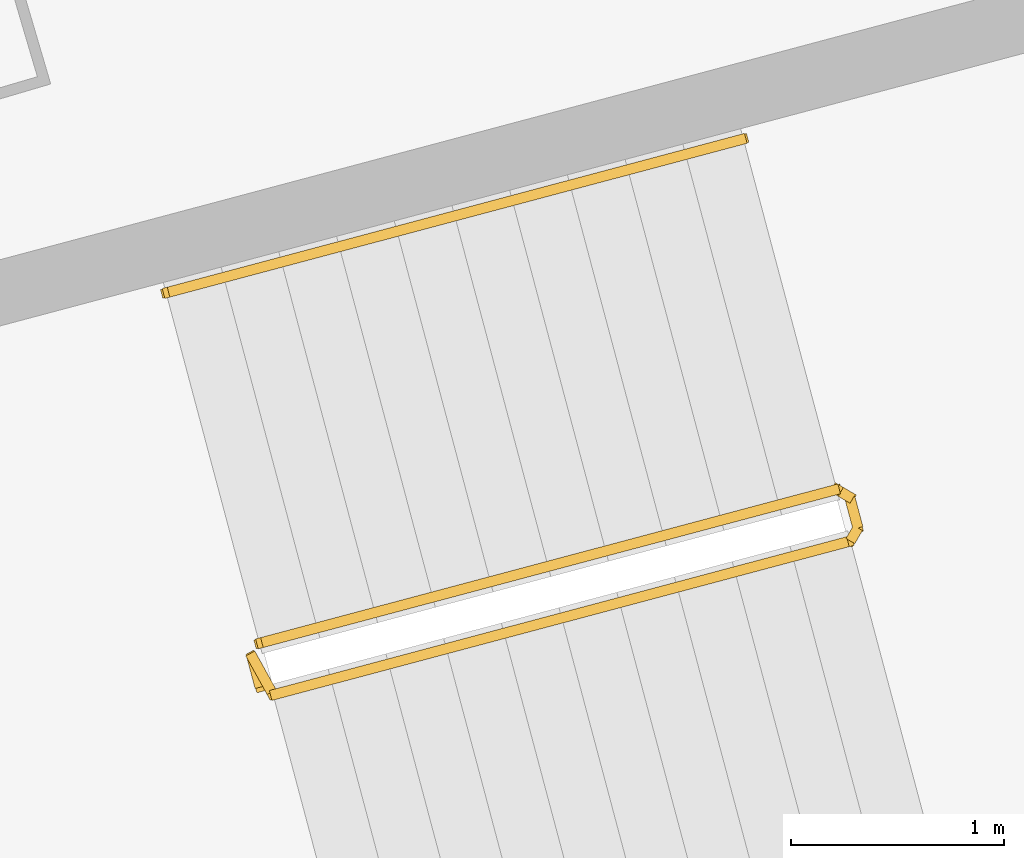
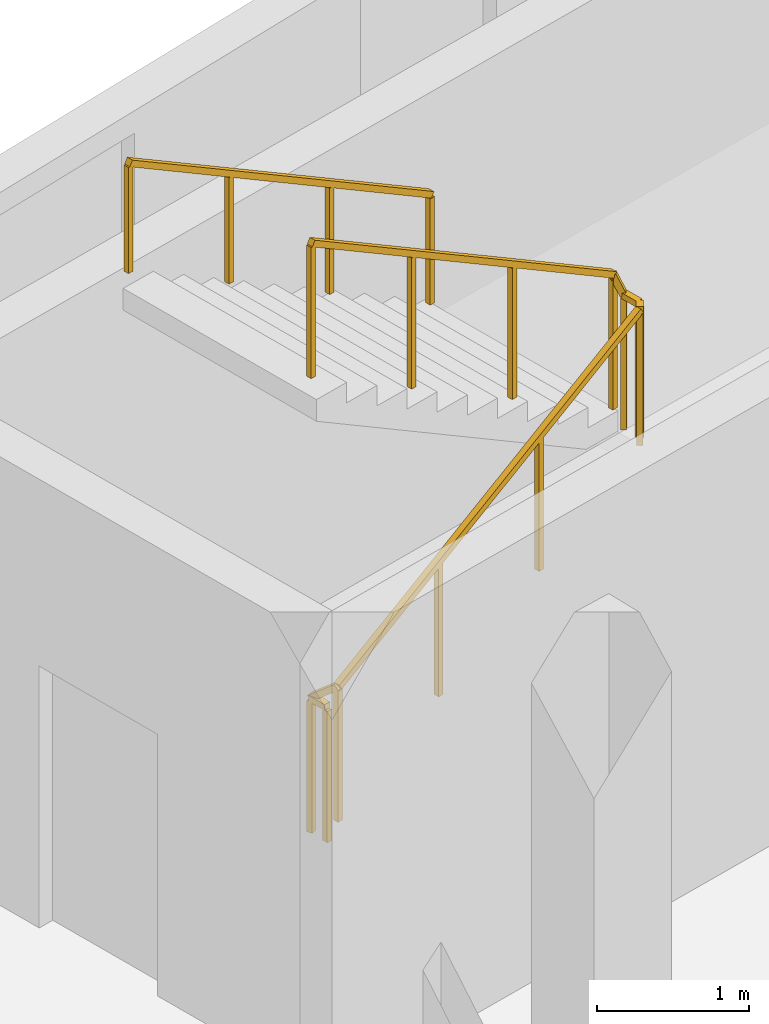
# One storey, part 17 of 17: 2 railings.
"""IFC4 building model written with IfcOpenShell, lengths in metres."""

from ifc_helpers import new_model, si_unit, direction, frame, origin, origin_2d, place, context, subcontext, project, spatial, rectangle, extrude, material, type_object, element, save


model = new_model("IFC4")

# Units and contexts
model_context = context("Model", 3, precision=1e-05, world=origin(), true_north=direction((0.0, 1.0)))
body_context = subcontext(model_context, "Body", "Model", "MODEL_VIEW")
ifc_project = project(units=[si_unit("LENGTHUNIT", "METRE"), si_unit("AREAUNIT", "SQUARE_METRE"), si_unit("VOLUMEUNIT", "CUBIC_METRE"), si_unit("PLANEANGLEUNIT", "RADIAN"), si_unit("MASSUNIT", "GRAM", prefix="KILO")], contexts=[model_context])

# Site, building, storey
site_placement = place(None, origin())
site = spatial("IfcSite", under=ifc_project, at=site_placement, CompositionType="ELEMENT")
building_placement = place(site_placement, origin())
building = spatial("IfcBuilding", under=site, at=building_placement, Name="Alderwake Tower", CompositionType="ELEMENT")
storey_placement = place(building_placement, frame((0.0, 0.0, 256.39990234375)))
storey = spatial("IfcBuildingStorey", under=building, at=storey_placement, Name="L63", CompositionType="ELEMENT", Elevation=256.39990234375)

# Railings
ifc_material_1 = material(Name="Stainless steel guard", Category="steel")
railing_type_1 = type_object("IfcRailingType", Name="Stair guard 1100", PredefinedType="GUARDRAIL", material=ifc_material_1)
railing_1_placement = place(storey_placement, frame((39.23291015625, 92.6806640625, 0.0)))
element("IfcRailing", 1, at=railing_1_placement, inside=storey, type_object=railing_type_1, Name="L63 ST-A stair guard 1", PredefinedType="GUARDRAIL", context=body_context, shape_type="SweptSolid", body=[
    extrude(rectangle(XDim=0.048095703125, YDim=0.048095703125, at=origin_2d()), frame((0.0, 0.0, 1.076171875), z_axis=(-0.257055032184, 0.966396766566, 0.0), x_axis=(-0.966396766566, -0.257055032184, 0.0)), (0.0, 0.0, 1.0), 0.150146484375),
    extrude(rectangle(XDim=0.048095703125, YDim=0.048095703125, at=origin_2d()), frame((-0.03857421875, 0.14501953125, 1.076171875), z_axis=(0.379152066478, -0.68506938173, 0.622031874345), x_axis=(0.874937996095, 0.484234966715, 0.0)), (0.0, 0.0, 1.0), 0.263427734375),
    extrude(rectangle(XDim=0.048095703125, YDim=0.048095703125, at=origin_2d()), frame((0.061279296875, -0.035400390625, 1.23974609375), z_axis=(0.834290631165, 0.222236594766, 0.504549342183), x_axis=(-0.257402139082, 0.966304371715, 0.0)), (0.0, 0.0, 1.0), 3.242919921875),
    extrude(rectangle(XDim=0.048095703125, YDim=0.048095703125, at=origin_2d()), frame((2.766845703125, 0.685302734375, 2.8759765625), z_axis=(0.500220121494, 0.865898279276, 0.0), x_axis=(-0.865898279276, 0.500220121494, 0.0)), (0.0, 0.0, 1.0), 0.07080078125),
    extrude(rectangle(XDim=0.048095703125, YDim=0.048095703125, at=origin_2d()), frame((2.80224609375, 0.74658203125, 2.8759765625), z_axis=(-0.257459803502, 0.966289009345, 0.0), x_axis=(-0.966289009345, -0.257459803502, 0.0)), (0.0, 0.0, 1.0), 0.14990234375),
    extrude(rectangle(XDim=0.048095703125, YDim=0.048095703125, at=origin_2d()), frame((2.763671875, 0.891357421875, 2.8759765625), z_axis=(-0.34252489212, 0.200034536998, 0.917966710881), x_axis=(-0.504300490226, -0.863528236688, 0.0)), (0.0, 0.0, 1.0), 0.17822265625),
    extrude(rectangle(XDim=0.048095703125, YDim=0.048095703125, at=origin_2d()), frame((2.70263671875, 0.927001953125, 3.03955078125), z_axis=(-0.834281824786, -0.222214197128, 0.504573768072), x_axis=(0.257380452725, -0.966310148221, 0.0)), (0.0, 0.0, 1.0), 3.2431640625),
    extrude(rectangle(XDim=0.0419921875, YDim=0.0419921875, at=origin_2d()), frame((0.0, 0.0, 0.0), z_axis=(0.0, 0.0, 1.0), x_axis=(-0.257055032184, 0.966396766566, 0.0)), (0.0, 0.0, 1.0), 1.052001953125),
    extrude(rectangle(XDim=0.0419921875, YDim=0.0419921875, at=origin_2d()), frame((-0.03857421875, 0.14501953125, 0.0), z_axis=(0.0, 0.0, 1.0), x_axis=(0.484234966715, -0.874937996095, 0.0)), (0.0, 0.0, 1.0), 1.052001953125),
    extrude(rectangle(XDim=0.0419921875, YDim=0.0419921875, at=origin_2d()), frame((0.061279296875, -0.035400390625, 0.163818359375), z_axis=(0.0, 0.0, 1.0), x_axis=(0.966304371715, 0.257402139082, 0.0)), (0.0, 0.0, 1.0), 1.052001953125),
    extrude(rectangle(XDim=0.0419921875, YDim=0.0419921875, at=origin_2d()), frame((0.963134765625, 0.204833984375, 0.709228515625), z_axis=(0.0, 0.0, 1.0), x_axis=(0.966304371715, 0.257402139082, 0.0)), (0.0, 0.0, 1.0), 1.052001953125),
    extrude(rectangle(XDim=0.0419921875, YDim=0.0419921875, at=origin_2d()), frame((1.864990234375, 0.445068359375, 1.254638671875), z_axis=(0.0, 0.0, 1.0), x_axis=(0.966304371715, 0.257402139082, 0.0)), (0.0, 0.0, 1.0), 1.052001953125),
    extrude(rectangle(XDim=0.0419921875, YDim=0.0419921875, at=origin_2d()), frame((2.766845703125, 0.685302734375, 1.800048828125), z_axis=(0.0, 0.0, 1.0), x_axis=(0.500220121494, 0.865898279276, 0.0)), (0.0, 0.0, 1.0), 1.052001953125),
    extrude(rectangle(XDim=0.0419921875, YDim=0.0419921875, at=origin_2d()), frame((2.80224609375, 0.74658203125, 1.800048828125), z_axis=(0.0, 0.0, 1.0), x_axis=(-0.257459803502, 0.966289009345, 0.0)), (0.0, 0.0, 1.0), 1.052001953125),
    extrude(rectangle(XDim=0.0419921875, YDim=0.0419921875, at=origin_2d()), frame((2.763671875, 0.891357421875, 1.800048828125), z_axis=(0.0, 0.0, 1.0), x_axis=(-0.863528236688, 0.504300490226, 0.0)), (0.0, 0.0, 1.0), 1.052001953125),
    extrude(rectangle(XDim=0.0419921875, YDim=0.0419921875, at=origin_2d()), frame((2.70263671875, 0.927001953125, 1.963623046875), z_axis=(0.0, 0.0, 1.0), x_axis=(-0.966310148221, -0.257380452725, 0.0)), (0.0, 0.0, 1.0), 1.052001953125),
    extrude(rectangle(XDim=0.0419921875, YDim=0.0419921875, at=origin_2d()), frame((1.80078125, 0.686767578125, 2.509033203125), z_axis=(0.0, 0.0, 1.0), x_axis=(-0.966310148221, -0.257380452725, 0.0)), (0.0, 0.0, 1.0), 1.052001953125),
    extrude(rectangle(XDim=0.0419921875, YDim=0.0419921875, at=origin_2d()), frame((0.898681640625, 0.446533203125, 3.0546875), z_axis=(0.0, 0.0, 1.0), x_axis=(-0.966310148221, -0.257380452725, 0.0)), (0.0, 0.0, 1.0), 1.052001953125),
    extrude(rectangle(XDim=0.0419921875, YDim=0.0419921875, at=origin_2d()), frame((-0.003173828125, 0.206298828125, 3.60009765625), z_axis=(0.0, 0.0, 1.0), x_axis=(-0.966310148221, -0.257380452725, 0.0)), (0.0, 0.0, 1.0), 1.052001953125),
])
ifc_material_2 = material(Name="Stainless steel handrail", Category="steel")
railing_type_2 = type_object("IfcRailingType", Name="Stair handrail 900", PredefinedType="HANDRAIL", material=ifc_material_2)
railing_2_placement = place(storey_placement, frame((41.497802734375, 95.250244140625, 1.963623046875)))
element("IfcRailing", 2, at=railing_2_placement, inside=storey, type_object=railing_type_2, Name="L63 ST-A stair handrail 2", PredefinedType="HANDRAIL", context=body_context, shape_type="SweptSolid", body=[
    extrude(rectangle(XDim=0.048095703125, YDim=0.048095703125, at=origin_2d()), frame((0.0, 0.0, 0.8759765625), z_axis=(-0.834258940753, -0.22222815314, 0.504605457487), x_axis=(0.257402139082, -0.966304371715, 0.0)), (0.0, 0.0, 1.0), 3.2431640625),
    extrude(rectangle(XDim=0.0419921875, YDim=0.0419921875, at=origin_2d()), frame((0.0, 0.0, 0.0), z_axis=(0.0, 0.0, 1.0), x_axis=(-0.966304371715, -0.257402139082, 0.0)), (0.0, 0.0, 1.0), 0.851806640625),
    extrude(rectangle(XDim=0.0419921875, YDim=0.0419921875, at=origin_2d()), frame((-0.90185546875, -0.240234375, 0.54541015625), z_axis=(0.0, 0.0, 1.0), x_axis=(-0.966304371715, -0.257402139082, 0.0)), (0.0, 0.0, 1.0), 0.851806640625),
    extrude(rectangle(XDim=0.0419921875, YDim=0.0419921875, at=origin_2d()), frame((-1.8037109375, -0.48046875, 1.091064453125), z_axis=(0.0, 0.0, 1.0), x_axis=(-0.966304371715, -0.257402139082, 0.0)), (0.0, 0.0, 1.0), 0.851806640625),
    extrude(rectangle(XDim=0.0419921875, YDim=0.0419921875, at=origin_2d()), frame((-2.70556640625, -0.720703125, 1.636474609375), z_axis=(0.0, 0.0, 1.0), x_axis=(-0.966304371715, -0.257402139082, 0.0)), (0.0, 0.0, 1.0), 0.851806640625),
])

save(model, "model.ifc")
